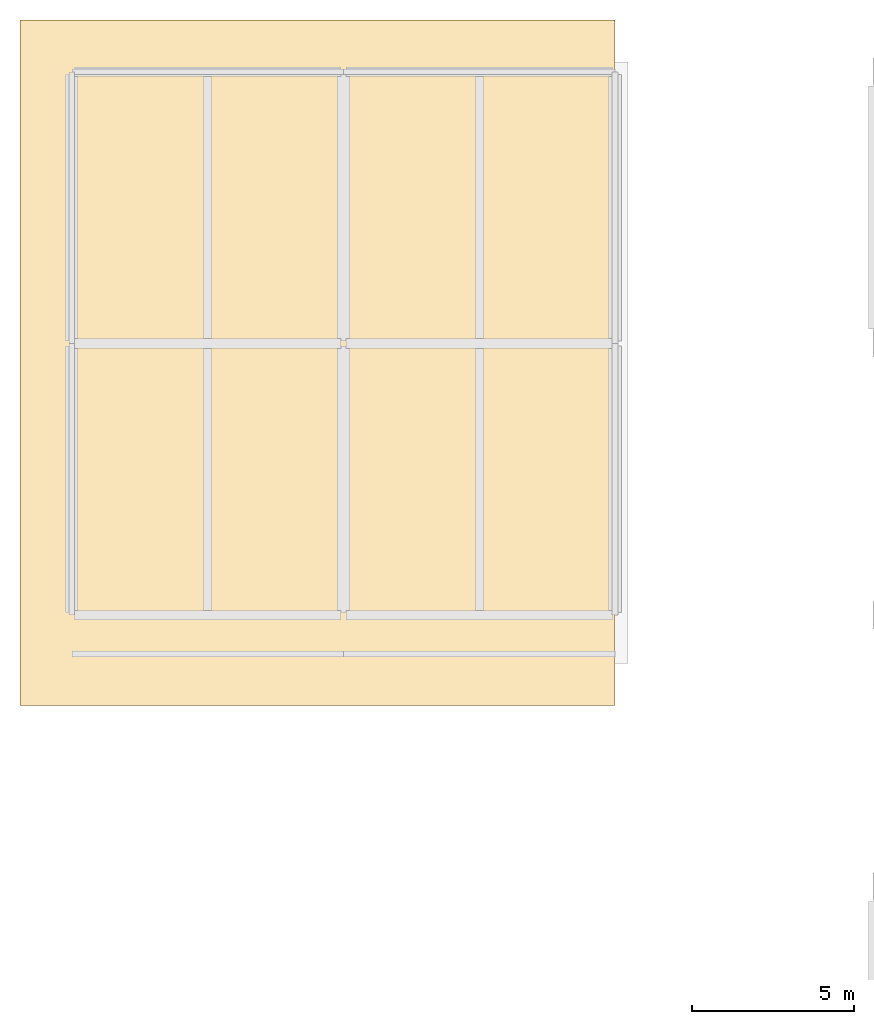
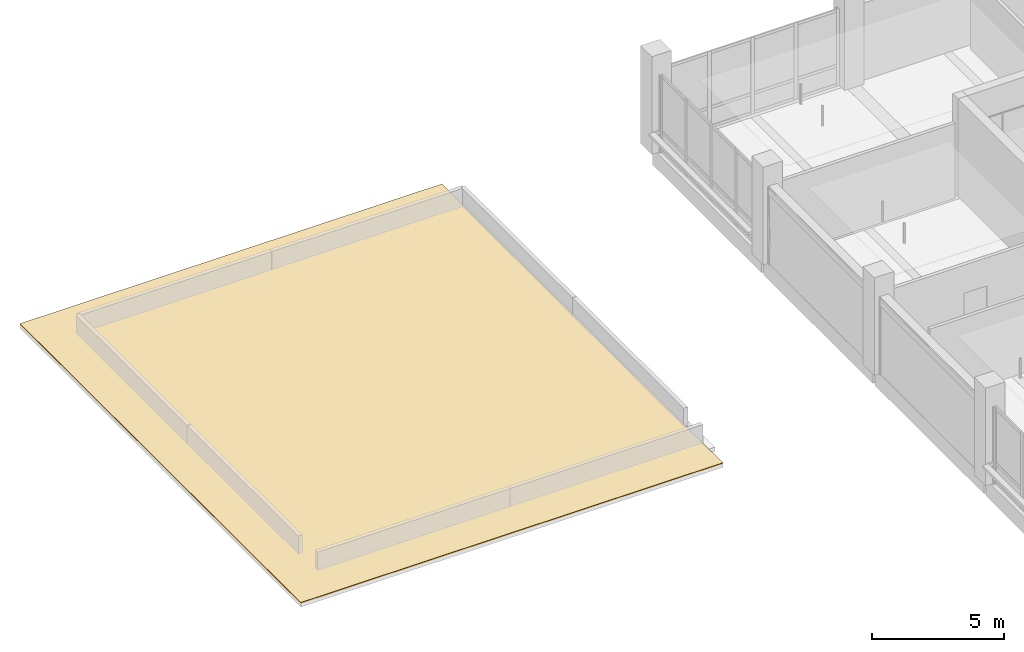
# One storey, part 27 of 39: 1 covering.
"""IFC4 building model written with IfcOpenShell, lengths in metres."""

from ifc_helpers import new_model, si_unit, direction, frame, origin, place, context, subcontext, project, spatial, polyline, outline, extrude, material, layer, layer_set, type_object, element, save


model = new_model("IFC4")

# Units and contexts
model_context = context("Model", 3, precision=1e-05, world=origin(), true_north=direction((0.0, 1.0)))
body_context = subcontext(model_context, "Body", "Model", "MODEL_VIEW")
ifc_project = project(units=[si_unit("LENGTHUNIT", "METRE"), si_unit("AREAUNIT", "SQUARE_METRE"), si_unit("VOLUMEUNIT", "CUBIC_METRE"), si_unit("PLANEANGLEUNIT", "RADIAN"), si_unit("MASSUNIT", "GRAM", prefix="KILO")], contexts=[model_context])

# Site, building, storey
site_placement = place(None, origin())
site = spatial("IfcSite", under=ifc_project, at=site_placement, CompositionType="ELEMENT")
building_placement = place(site_placement, origin())
building = spatial("IfcBuilding", under=site, at=building_placement, Name="Telukmera Botanical Conservatory", CompositionType="ELEMENT")
storey_placement = place(building_placement, frame((0.0, 0.0, 19.5)))
storey = spatial("IfcBuildingStorey", under=building, at=storey_placement, Name="L04", CompositionType="ELEMENT", Elevation=19.5)

# Covering
ifc_material = material(Name="Elastomeric bituminous waterproof roofing membrane")
ifc_layer = layer(ifc_material, 0.030029296875)
ifc_layer_set = layer_set([ifc_layer], Name="Elastomeric bituminous waterproof roofing membrane")
covering_type = type_object("IfcCoveringType", Name="Elastomeric Bituminous Waterproof Roof Membrane", PredefinedType="ROOFING", material=ifc_layer_set)
covering_placement = place(storey_placement, frame((0.0, 0.0, 0.179931640625)))
element("IfcCovering", 1, at=covering_placement, inside=storey, type_object=covering_type, Name="Visitor Rooftop Lounge Waterproof Membrane", PredefinedType="ROOFING", context=body_context, shape_type="SweptSolid", body=[
    extrude(outline(polyline([(23.60009765625, 23.199951171875), (42.0, 23.199951171875), (42.0, 44.39990234375), (23.60009765625, 44.39990234375), (23.60009765625, 23.199951171875)])), origin(), (0.0, 0.0, 1.0), 0.030029296875),
])

save(model, "model.ifc")
